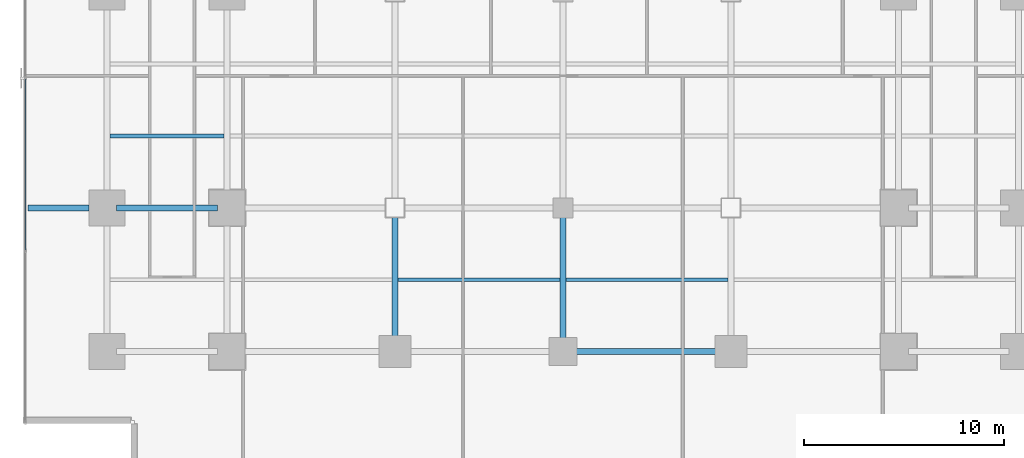
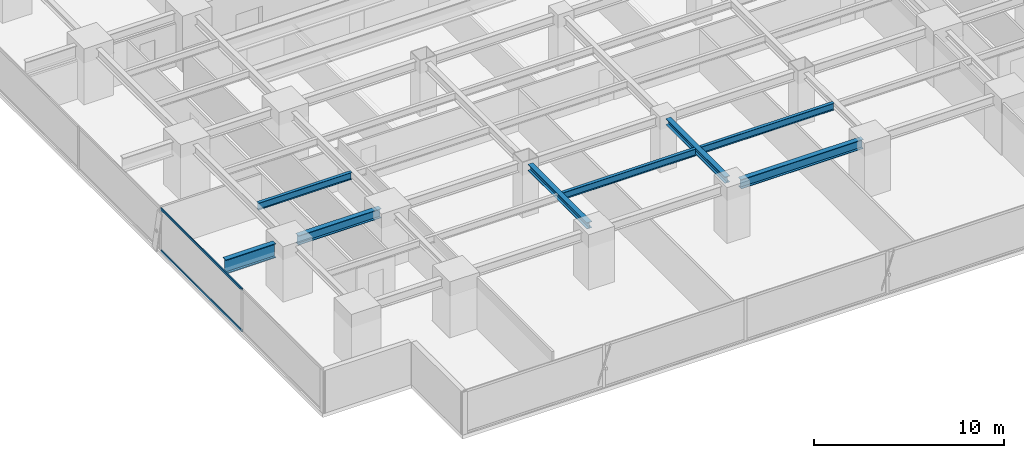
# One storey, part 6 of 33: 8 beams, 2 members, 1 element without a shape of its own.
"""IFC4 building model written with IfcOpenShell, lengths in metres."""

from ifc_helpers import new_model, si_unit, direction, frame, origin, origin_2d, place, context, subcontext, project, spatial, hollow_rectangle, i_section, extrude, source, transform, mapped, material, layer, layer_set, material_profile, profile_set, type_object, element, aggregate, save


model = new_model("IFC4")

# Units and contexts
model_context = context("Model", 3, precision=1e-05, world=origin(), true_north=direction((0.0, 1.0)))
body_context = subcontext(model_context, "Body", "Model", "MODEL_VIEW")
ifc_project = project(units=[si_unit("LENGTHUNIT", "METRE"), si_unit("AREAUNIT", "SQUARE_METRE"), si_unit("VOLUMEUNIT", "CUBIC_METRE"), si_unit("PLANEANGLEUNIT", "RADIAN"), si_unit("MASSUNIT", "GRAM", prefix="KILO")], contexts=[model_context])

# Site, building, storey
site_placement = place(None, origin())
site = spatial("IfcSite", under=ifc_project, at=site_placement, CompositionType="ELEMENT")
building_placement = place(site_placement, origin())
building = spatial("IfcBuilding", under=site, at=building_placement, Name="Sumidabori Civic Tower", CompositionType="ELEMENT")
storey_placement = place(building_placement, frame((0.0, 0.0, 23.60009765625)))
storey = spatial("IfcBuildingStorey", under=building, at=storey_placement, Name="L05", CompositionType="ELEMENT", Elevation=23.60009765625)

# Beams
ifc_material_1 = material(Name="Steel SN490", Category="steel")
ifc_material_profile_1 = material_profile(ifc_material_1, i_section(OverallWidth=0.300048828125, OverallDepth=0.60009765625, WebThickness=0.015380859375, FlangeThickness=0.030029296875, at=origin_2d()), Name="HE 600 B")
ifc_profile_set_1 = profile_set([ifc_material_profile_1], Name="Steel SN490")
beam_type_1 = type_object("IfcBeamType", Name="BM-GIRD-600", PredefinedType="BEAM", material=ifc_profile_set_1)
shared_shape_1 = source(origin(), body_context, "Body", "SweptSolid", [
    extrude(i_section(OverallWidth=0.300048828125, OverallDepth=0.60009765625, WebThickness=0.015380859375, FlangeThickness=0.030029296875, at=origin_2d()), origin(), (0.0, 0.0, 1.0), 5.0400390625),
])
beam_1_placement = place(storey_placement, frame((-22.320068359375, -10.800048828125, 3.059814453125), z_axis=(1.0, 0.0, 0.0), x_axis=(0.0, 1.0, 0.0)))
element("IfcBeam", 1, at=beam_1_placement, inside=storey, type_object=beam_type_1, Name="Primary Girder L05 GX-07", PredefinedType="BEAM", context=body_context, shape_type="MappedRepresentation", body=[
    mapped(shared_shape_1, transform((0.0, 0.0, 0.0), x_axis=(1.0, 0.0, 0.0), y_axis=(0.0, 1.0, 0.0), z_axis=(0.0, 0.0, 1.0), scale=1.0)),
])
shared_shape_2 = source(origin(), body_context, "Body", "SweptSolid", [
    extrude(i_section(OverallWidth=0.300048828125, OverallDepth=0.60009765625, WebThickness=0.015380859375, FlangeThickness=0.030029296875, at=origin_2d()), origin(), (0.0, 0.0, 1.0), 7.43994140625),
])
beam_2_placement = place(storey_placement, frame((0.47998046875, -18.0, 3.059814453125), z_axis=(1.0, 0.0, 0.0), x_axis=(0.0, 1.0, 0.0)))
element("IfcBeam", 2, at=beam_2_placement, inside=storey, type_object=beam_type_1, Name="Primary Girder L05 GX-04", PredefinedType="BEAM", context=body_context, shape_type="MappedRepresentation", body=[
    mapped(shared_shape_2, transform((0.0, 0.0, 0.0), x_axis=(1.0, 0.0, 0.0), y_axis=(0.0, 1.0, 0.0), z_axis=(0.0, 0.0, 1.0), scale=1.0)),
])
ifc_material_profile_2 = material_profile(ifc_material_1, i_section(OverallWidth=0.300048828125, OverallDepth=0.39990234375, WebThickness=0.013427734375, FlangeThickness=0.02392578125, at=origin_2d()), Name="HE 400 B")
ifc_profile_set_2 = profile_set([ifc_material_profile_2], Name="Steel SN490")
beam_type_2 = type_object("IfcBeamType", Name="BM-GIRD-400", PredefinedType="BEAM", material=ifc_profile_set_2)
shared_shape_3 = source(origin(), body_context, "Body", "SweptSolid", [
    extrude(i_section(OverallWidth=0.300048828125, OverallDepth=0.39990234375, WebThickness=0.013427734375, FlangeThickness=0.02392578125, at=origin_2d()), origin(), (0.0, 0.0, 1.0), 6.239990234375),
])
for number, where, z_axis, x_axis, name in (
    (3, (-8.39990234375, -17.52001953125, 3.159912109375), (0.0, 1.0, 0.0), (-1.0, 0.0, 0.0), "Primary Girder L05 GY-29"),
    (4, (0.0, -17.52001953125, 3.159912109375), (0.0, 1.0, 0.0), (-1.0, 0.0, 0.0), "Primary Girder L05 GY-31"),
):
    element("IfcBeam", number, at=place(storey_placement, frame(where, z_axis=z_axis, x_axis=x_axis)), inside=storey, type_object=beam_type_2, Name=name, PredefinedType="BEAM", context=body_context, shape_type="MappedRepresentation", body=[
        mapped(shared_shape_3, transform((0.0, 0.0, 0.0), x_axis=(1.0, 0.0, 0.0), y_axis=(0.0, 1.0, 0.0), z_axis=(0.0, 0.0, 1.0), scale=1.0)),
    ])
ifc_material_profile_3 = material_profile(ifc_material_1, i_section(OverallWidth=0.302001953125, OverallDepth=0.909912109375, WebThickness=0.02099609375, FlangeThickness=0.0400390625, at=origin_2d()), Name="HE 900 M")
ifc_profile_set_3 = profile_set([ifc_material_profile_3], Name="Steel SN490")
beam_type_3 = type_object("IfcBeamType", Name="BM-Z1-EDGE", PredefinedType="SPANDREL", material=ifc_profile_set_3)
shared_shape_4 = source(origin(), body_context, "Body", "SweptSolid", [
    extrude(i_section(OverallWidth=0.302001953125, OverallDepth=0.909912109375, WebThickness=0.02099609375, FlangeThickness=0.0400390625, at=origin_2d()), origin(), (0.0, 0.0, 1.0), 3.050048828125),
])
beam_3_placement = place(storey_placement, frame((-26.75, -10.800048828125, 2.90478515625), z_axis=(1.0, 0.0, 0.0), x_axis=(0.0, 1.0, 0.0)))
element("IfcBeam", 5, at=beam_3_placement, inside=storey, type_object=beam_type_3, Name="Perimeter Overhang Beam L05 W-44", PredefinedType="SPANDREL", context=body_context, shape_type="MappedRepresentation", body=[
    mapped(shared_shape_4, transform((0.0, 0.0, 0.0), x_axis=(1.0, 0.0, 0.0), y_axis=(0.0, 1.0, 0.0), z_axis=(0.0, 0.0, 1.0), scale=1.0)),
])
ifc_material_profile_4 = material_profile(ifc_material_1, i_section(OverallWidth=0.18994140625, OverallDepth=0.449951171875, WebThickness=0.009521484375, FlangeThickness=0.0146484375, at=origin_2d()), Name="IPE 450")
ifc_profile_set_4 = profile_set([ifc_material_profile_4], Name="Steel SN490")
beam_type_4 = type_object("IfcBeamType", Name="BM-JST-450", PredefinedType="JOIST", material=ifc_profile_set_4)
shared_shape_5 = source(origin(), body_context, "Body", "SweptSolid", [
    extrude(i_section(OverallWidth=0.18994140625, OverallDepth=0.449951171875, WebThickness=0.009521484375, FlangeThickness=0.0146484375, at=origin_2d()), origin(), (0.0, 0.0, 1.0), 5.699951171875),
])
beam_4_placement = place(storey_placement, frame((-22.64990234375, -7.199951171875, 3.135009765625), z_axis=(1.0, 0.0, 0.0), x_axis=(0.0, 1.0, 0.0)))
element("IfcBeam", 6, at=beam_4_placement, inside=storey, type_object=beam_type_4, Name="Outer Bay Floor Joist L05 JSTO-49", PredefinedType="JOIST", context=body_context, shape_type="MappedRepresentation", body=[
    mapped(shared_shape_5, transform((0.0, 0.0, 0.0), x_axis=(1.0, 0.0, 0.0), y_axis=(0.0, 1.0, 0.0), z_axis=(0.0, 0.0, 1.0), scale=1.0)),
])
shared_shape_6 = source(origin(), body_context, "Body", "SweptSolid", [
    extrude(i_section(OverallWidth=0.18994140625, OverallDepth=0.449951171875, WebThickness=0.009521484375, FlangeThickness=0.0146484375, at=origin_2d()), origin(), (0.0, 0.0, 1.0), 8.10009765625),
])
for number, where, z_axis, x_axis, name in (
    (7, (-8.25, -14.39990234375, 3.135009765625), (1.0, 0.0, 0.0), (0.0, 1.0, 0.0), "South Bay Floor Joist L05 JSTS-62"),
    (8, (0.14990234375, -14.39990234375, 3.135009765625), (1.0, 0.0, 0.0), (0.0, 1.0, 0.0), "South Bay Floor Joist L05 JSTS-63"),
):
    element("IfcBeam", number, at=place(storey_placement, frame(where, z_axis=z_axis, x_axis=x_axis)), inside=storey, type_object=beam_type_4, Name=name, PredefinedType="JOIST", context=body_context, shape_type="MappedRepresentation", body=[
        mapped(shared_shape_6, transform((0.0, 0.0, 0.0), x_axis=(1.0, 0.0, 0.0), y_axis=(0.0, 1.0, 0.0), z_axis=(0.0, 0.0, 1.0), scale=1.0)),
    ])

# Curtain wall, members
ifc_material_2 = material(Name="Anodised Bronze Aluminium AW-6063-T6", Category="aluminium")
ifc_layer = layer(ifc_material_2, 0.179931640625, Name="Anodised Bronze Aluminium AW-6063-T6")
ifc_layer_set = layer_set([ifc_layer], Name="Anodised Bronze Aluminium AW-6063-T6")
curtain_wall_type = type_object("IfcCurtainWallType", Name="CW-SYS-2", PredefinedType="NOTDEFINED", material=ifc_layer_set)
curtain_wall_placement = place(storey_placement, origin())
curtain_wall = element("IfcCurtainWall", 9, at=curtain_wall_placement, inside=storey, type_object=curtain_wall_type, Name="Curtain Wall CW:L05:R11", PredefinedType="NOTDEFINED")
ifc_material_profile_5 = material_profile(ifc_material_2, hollow_rectangle(XDim=0.06494140625, YDim=0.14990234375, WallThickness=0.0048828125, at=origin_2d()), Name="ALU TRANSOM 150x65")
ifc_profile_set_5 = profile_set([ifc_material_profile_5], Name="Anodised Bronze Aluminium AW-6063-T6")
member_type = type_object("IfcMemberType", Name="CW-TRN-150", PredefinedType="USERDEFINED", material=ifc_profile_set_5)
shared_shape_7 = source(origin(), body_context, "Body", "SweptSolid", [
    extrude(hollow_rectangle(XDim=0.06494140625, YDim=0.14990234375, WallThickness=0.0048828125, at=origin_2d()), origin(), (0.0, 0.0, 1.0), 8.557861328125),
])
member_1_placement = place(storey_placement, frame((-26.8798828125, -4.34912109375, 0.032470703125), z_axis=(0.0, -1.0, 0.0), x_axis=(1.0, 0.0, 0.0)))
member_1 = element("IfcMember", 10, at=member_1_placement, type_object=member_type, Name="CW-2 transom 4.1", ObjectType="TRANSOM", PredefinedType="USERDEFINED", context=body_context, shape_type="MappedRepresentation", body=[
    mapped(shared_shape_7, transform((0.0, 0.0, 0.0), x_axis=(1.0, 0.0, 0.0), y_axis=(0.0, 1.0, 0.0), z_axis=(0.0, 0.0, 1.0), scale=1.0)),
])
member_2_placement = place(storey_placement, frame((-26.8798828125, -4.34912109375, 2.70751953125), z_axis=(0.0, -1.0, 0.0), x_axis=(1.0, 0.0, 0.0)))
member_2 = element("IfcMember", 11, at=member_2_placement, type_object=member_type, Name="CW-2 transom 4.2", ObjectType="TRANSOM", PredefinedType="USERDEFINED", context=body_context, shape_type="MappedRepresentation", body=[
    mapped(shared_shape_7, transform((0.0, 0.0, 0.0), x_axis=(1.0, 0.0, 0.0), y_axis=(0.0, 1.0, 0.0), z_axis=(0.0, 0.0, 1.0), scale=1.0)),
])
aggregate(curtain_wall, [member_1, member_2])

save(model, "model.ifc")
